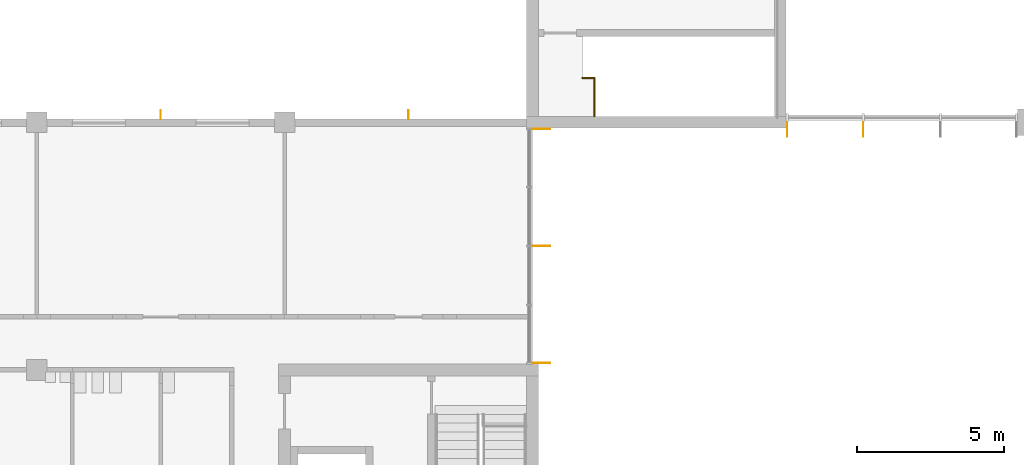
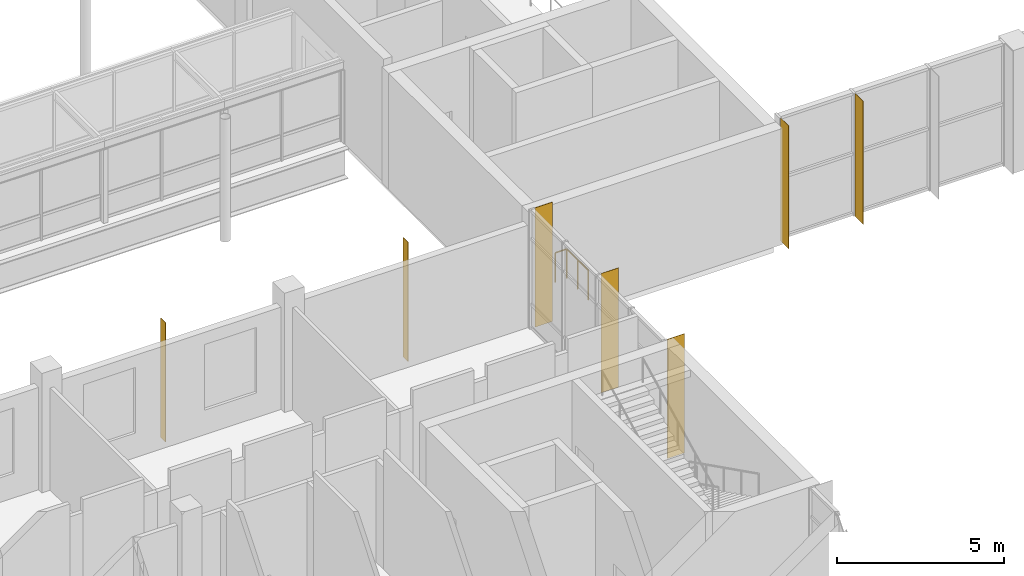
# One storey, part 58 of 70: 7 shading devices, 1 railing.
"""IFC4 building model written with IfcOpenShell, lengths in metres."""

from ifc_helpers import new_model, si_unit, direction, frame, origin, origin_2d, place, context, subcontext, project, spatial, rectangle, circle, extrude, material, layer, layer_set, type_object, element, save


model = new_model("IFC4")

# Units and contexts
model_context = context("Model", 3, precision=1e-05, world=origin(), true_north=direction((0.0, 1.0)))
body_context = subcontext(model_context, "Body", "Model", "MODEL_VIEW")
ifc_project = project(units=[si_unit("LENGTHUNIT", "METRE"), si_unit("AREAUNIT", "SQUARE_METRE"), si_unit("VOLUMEUNIT", "CUBIC_METRE"), si_unit("PLANEANGLEUNIT", "RADIAN"), si_unit("MASSUNIT", "GRAM", prefix="KILO")], contexts=[model_context])

# Site, building, storey
site_placement = place(None, origin())
site = spatial("IfcSite", under=ifc_project, at=site_placement, CompositionType="ELEMENT")
building_placement = place(site_placement, origin())
building = spatial("IfcBuilding", under=site, at=building_placement, Name="Hlaing Beacon Police Headquarters", CompositionType="ELEMENT")
storey_placement = place(building_placement, frame((0.0, 0.0, 5.39990234375)))
storey = spatial("IfcBuildingStorey", under=building, at=storey_placement, Name="L01", CompositionType="ELEMENT", Elevation=5.39990234375)

# Shading devices
ifc_material_1 = material(Name="Aluminium 6063-T5 anodised", Category="aluminium")
ifc_layer_1 = layer(ifc_material_1, 0.011962890625)
ifc_layer_set_1 = layer_set([ifc_layer_1], Name="Aluminium 6063-T5 anodised")
shading_device_type_1 = type_object("IfcShadingDeviceType", Name="Aluminium fin 12x300", PredefinedType="JALOUSIE", material=ifc_layer_set_1)
for number, where, z_axis, x_axis, name in (
    (1, (54.60009765625, 33.85009765625, 0.0), (0.0, 0.0, 1.0), (-1.0, 0.0, 0.0), "Fin L01 N003"),
    (2, (46.199951171875, 33.85009765625, 0.0), (0.0, 0.0, 1.0), (-1.0, 0.0, 0.0), "Fin L01 N004"),
):
    element("IfcShadingDevice", number, at=place(storey_placement, frame(where, z_axis=z_axis, x_axis=x_axis)), inside=storey, type_object=shading_device_type_1, Name=name, PredefinedType="JALOUSIE", context=body_context, shape_type="SweptSolid", body=[
        extrude(rectangle(XDim=0.011962890625, YDim=0.300048828125, at=origin_2d()), origin(), (0.0, 0.0, 1.0), 4.3701171875),
    ])
ifc_material_2 = material(Name="Aluminium 6063-T5 anodised", Category="aluminium")
ifc_layer_2 = layer(ifc_material_2, 0.011962890625)
ifc_layer_set_2 = layer_set([ifc_layer_2], Name="Aluminium 6063-T5 anodised")
shading_device_type_2 = type_object("IfcShadingDeviceType", Name="Aluminium fin 12x500", PredefinedType="JALOUSIE", material=ifc_layer_set_2)
for number, where, z_axis, x_axis, name in (
    (3, (67.43994140625, 33.35009765625, 0.0), (0.0, 0.0, 1.0), (1.0, 0.0, 0.0), "Fin L01 S009.0"),
    (4, (70.0166015625, 33.35009765625, 0.0), (0.0, 0.0, 1.0), (1.0, 0.0, 0.0), "Fin L01 S009.1"),
):
    element("IfcShadingDevice", number, at=place(storey_placement, frame(where, z_axis=z_axis, x_axis=x_axis)), inside=storey, type_object=shading_device_type_2, Name=name, PredefinedType="JALOUSIE", context=body_context, shape_type="SweptSolid", body=[
        extrude(rectangle(XDim=0.011962890625, YDim=0.5, at=origin_2d()), origin(), (0.0, 0.0, 1.0), 4.5),
    ])
ifc_material_3 = material(Name="Aluminium 6063-T5 anodised", Category="aluminium")
ifc_layer_3 = layer(ifc_material_3, 0.011962890625)
ifc_layer_set_3 = layer_set([ifc_layer_3], Name="Aluminium 6063-T5 anodised")
shading_device_type_3 = type_object("IfcShadingDeviceType", Name="Aluminium fin 12x600", PredefinedType="JALOUSIE", material=ifc_layer_set_3)
for number, where, z_axis, x_axis, name in (
    (5, (59.10009765625, 25.429931640625, 0.0), (0.0, 0.0, 1.0), (0.0, 1.0, 0.0), "Fin L01 E018.0"),
    (6, (59.10009765625, 29.39990234375, 0.0), (0.0, 0.0, 1.0), (0.0, 1.0, 0.0), "Fin L01 E018.2"),
    (7, (59.10009765625, 33.3701171875, 0.0), (0.0, 0.0, 1.0), (0.0, 1.0, 0.0), "Fin L01 E018.4"),
):
    element("IfcShadingDevice", number, at=place(storey_placement, frame(where, z_axis=z_axis, x_axis=x_axis)), inside=storey, type_object=shading_device_type_3, Name=name, PredefinedType="JALOUSIE", context=body_context, shape_type="SweptSolid", body=[
        extrude(rectangle(XDim=0.011962890625, YDim=0.60009765625, at=origin_2d()), origin(), (0.0, 0.0, 1.0), 4.3701171875),
    ])

# Railing
ifc_material_4 = material(Name="Stainless steel", Category="steel")
railing_type = type_object("IfcRailingType", Name="Stair guard 1100", PredefinedType="GUARDRAIL", material=ifc_material_4)
railing_placement = place(storey_placement, frame((60.89990234375, 33.800048828125, 0.0)))
element("IfcRailing", 8, at=railing_placement, inside=storey, type_object=railing_type, Name="Guard ST-A", PredefinedType="GUARDRAIL", context=body_context, shape_type="SweptSolid", body=[
    extrude(circle(Radius=0.02392578125, at=origin_2d()), frame((0.0, 0.0, 1.076171875), z_axis=(0.0, 1.0, 0.0), x_axis=(-1.0, 0.0, 0.0)), (0.0, 0.0, 1.0), 1.300048828125),
    extrude(circle(Radius=0.02392578125, at=origin_2d()), frame((0.0, 1.300048828125, 1.076171875), z_axis=(-1.0, 0.0, 0.0), x_axis=(0.0, -1.0, 0.0)), (0.0, 0.0, 1.0), 0.39990234375),
    extrude(circle(Radius=0.02099609375, at=origin_2d()), origin(), (0.0, 0.0, 1.0), 1.052001953125),
    extrude(circle(Radius=0.02099609375, at=origin_2d()), frame((0.0, 0.64990234375, 0.0)), (0.0, 0.0, 1.0), 1.052001953125),
    extrude(circle(Radius=0.02099609375, at=origin_2d()), frame((0.0, 1.300048828125, 0.0)), (0.0, 0.0, 1.0), 1.052001953125),
    extrude(circle(Radius=0.02099609375, at=origin_2d()), frame((-0.39990234375, 1.300048828125, 0.0)), (0.0, 0.0, 1.0), 1.052001953125),
])

save(model, "model.ifc")
